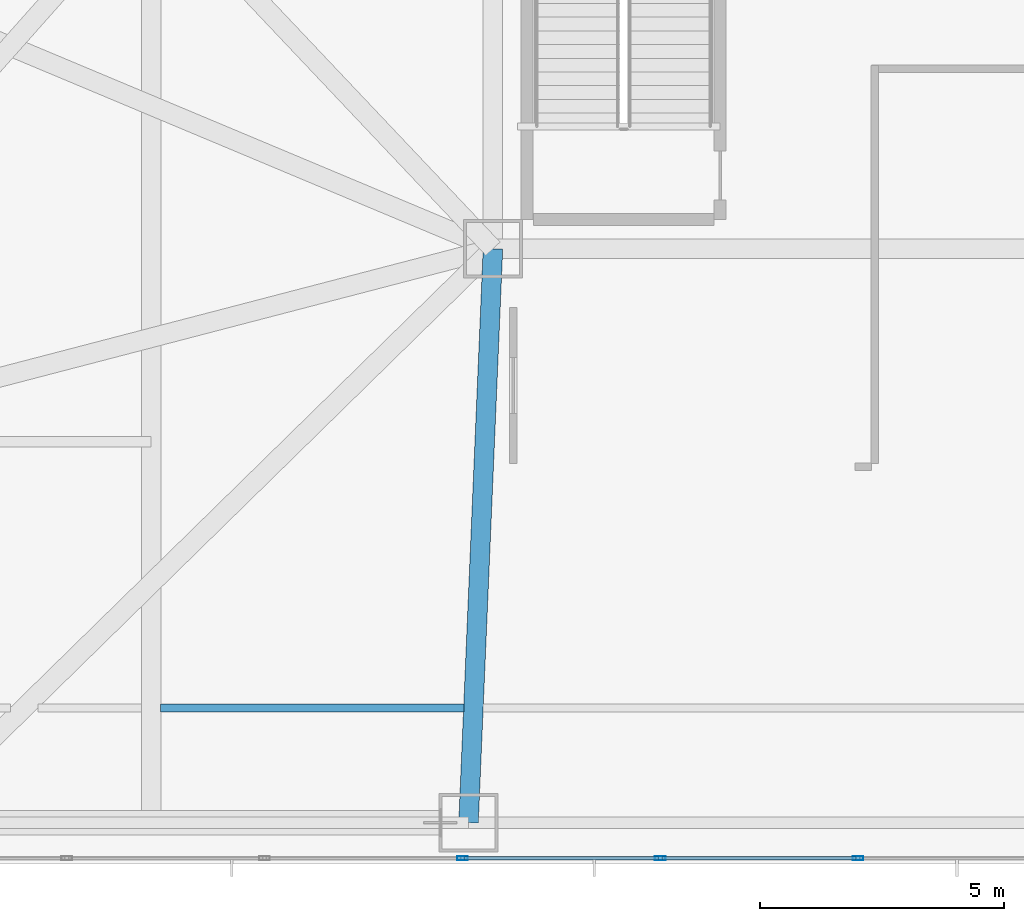
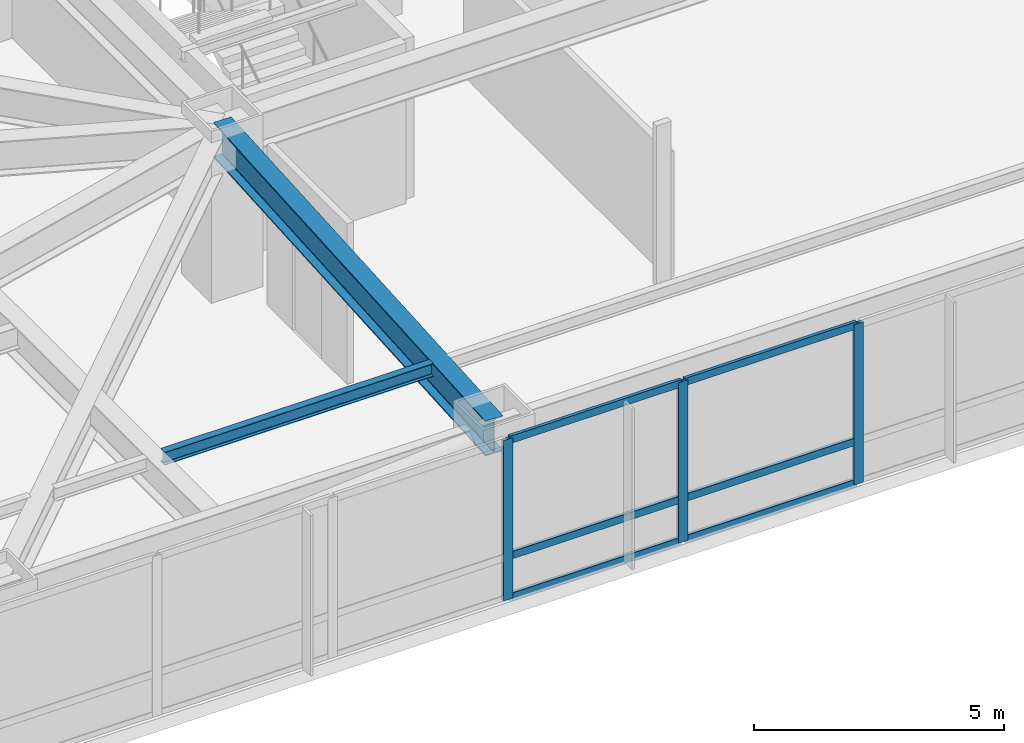
# One storey, part 4 of 32: 9 members, 2 beams, 1 element without a shape of its own.
"""IFC4 building model written with IfcOpenShell, lengths in metres."""

from ifc_helpers import new_model, si_unit, direction, frame, origin, origin_2d, place, context, subcontext, project, spatial, hollow_rectangle, i_section, extrude, material, material_profile, profile_set, type_object, element, aggregate, save


model = new_model("IFC4")

# Units and contexts
model_context = context("Model", 3, precision=1e-05, world=origin(), true_north=direction((0.0, 1.0)))
body_context = subcontext(model_context, "Body", "Model", "MODEL_VIEW")
ifc_project = project(units=[si_unit("LENGTHUNIT", "METRE"), si_unit("AREAUNIT", "SQUARE_METRE"), si_unit("VOLUMEUNIT", "CUBIC_METRE"), si_unit("PLANEANGLEUNIT", "RADIAN"), si_unit("MASSUNIT", "GRAM", prefix="KILO")], contexts=[model_context])

# Site, building, storey
site_placement = place(None, origin())
site = spatial("IfcSite", under=ifc_project, at=site_placement, CompositionType="ELEMENT")
building_placement = place(site_placement, origin())
building = spatial("IfcBuilding", under=site, at=building_placement, Name="Khamvora Tower", CompositionType="ELEMENT")
storey_placement = place(building_placement, frame((0.0, 0.0, 12.0)))
storey = spatial("IfcBuildingStorey", under=building, at=storey_placement, Name="L02", CompositionType="ELEMENT", Elevation=12.0)

# Beams
ifc_material_1 = material(Name="Steel S355", Category="steel")
ifc_material_profile_1 = material_profile(ifc_material_1, i_section(OverallWidth=0.166015625, OverallDepth=0.31298828125, WebThickness=0.007080078125, FlangeThickness=0.010986328125, FilletRadius=0.010009765625, at=origin_2d()), Name="W310x45")
ifc_profile_set_1 = profile_set([ifc_material_profile_1], Name="Steel S355")
beam_type_1 = type_object("IfcBeamType", Name="BM-JS-W310x45", PredefinedType="JOIST", material=ifc_profile_set_1)
beam_1_placement = place(storey_placement, frame((11.695068359375, 3.199951171875, 3.763916015625), z_axis=(1.0, 0.0, 0.0), x_axis=(0.0, 1.0, 0.0)))
element("IfcBeam", 1, at=beam_1_placement, inside=storey, type_object=beam_type_1, Name="L02 secondary floor joist 03", PredefinedType="JOIST", context=body_context, shape_type="SweptSolid", body=[
    extrude(i_section(OverallWidth=0.166015625, OverallDepth=0.31298828125, WebThickness=0.007080078125, FlangeThickness=0.010986328125, FilletRadius=0.010009765625, at=origin_2d()), origin(), (0.0, 0.0, 1.0), 6.2099609375),
])
ifc_material_profile_2 = material_profile(ifc_material_1, i_section(OverallWidth=0.39990234375, OverallDepth=0.85498046875, WebThickness=0.01806640625, FlangeThickness=0.029052734375, FilletRadius=0.01806640625, at=origin_2d()), Name="W840x299")
ifc_profile_set_2 = profile_set([ifc_material_profile_2], Name="Steel S355")
beam_type_2 = type_object("IfcBeamType", Name="BM-PG-W840x299", PredefinedType="BEAM", material=ifc_profile_set_2)
beam_2_placement = place(storey_placement, frame((18.5, 12.60009765625, 3.491943359375), z_axis=(-0.042514716625, -0.999095840683, 0.0), x_axis=(0.999095840683, -0.042514716625, 0.0)))
element("IfcBeam", 2, at=beam_2_placement, inside=storey, type_object=beam_type_2, Name="L02 primary floor girder P02", PredefinedType="BEAM", context=body_context, shape_type="SweptSolid", body=[
    extrude(i_section(OverallWidth=0.39990234375, OverallDepth=0.85498046875, WebThickness=0.01806640625, FlangeThickness=0.029052734375, FilletRadius=0.01806640625, at=origin_2d()), origin(), (0.0, 0.0, 1.0), 11.7607421875),
])

# Curtain wall, members
ifc_material_2 = material(Name="Anodised Aluminium 6063-T6", Category="aluminium")
curtain_wall_type = type_object("IfcCurtainWallType", Name="CW-SYS-01", PredefinedType="NOTDEFINED", material=ifc_material_2)
curtain_wall_placement = place(storey_placement, origin())
curtain_wall = element("IfcCurtainWall", 3, at=curtain_wall_placement, inside=storey, type_object=curtain_wall_type, Name="L02 stick curtain wall 14.1", PredefinedType="NOTDEFINED")
ifc_material_profile_3 = material_profile(ifc_material_2, hollow_rectangle(XDim=0.074951171875, YDim=0.219970703125, WallThickness=0.0048828125, at=origin_2d()), Name="MUL75x220x5")
ifc_profile_set_3 = profile_set([ifc_material_profile_3], Name="Anodised Aluminium 6063-T6")
member_type_1 = type_object("IfcMemberType", Name="CW-SYS-01-MUL", PredefinedType="MULLION", material=ifc_profile_set_3)
member_1_placement = place(storey_placement, frame((25.97509765625, 0.1201171875, 0.0), z_axis=(0.0, 0.0, 1.0), x_axis=(0.0, -1.0, 0.0)))
member_1 = element("IfcMember", 4, at=member_1_placement, type_object=member_type_1, Name="CW-01 mullion 7", PredefinedType="MULLION", context=body_context, shape_type="SweptSolid", body=[
    extrude(hollow_rectangle(XDim=0.074951171875, YDim=0.219970703125, WallThickness=0.0048828125, at=origin_2d()), origin(), (0.0, 0.0, 1.0), 3.919921875),
])
member_2_placement = place(storey_placement, frame((21.925048828125, 0.1201171875, 0.0), z_axis=(0.0, 0.0, 1.0), x_axis=(0.0, -1.0, 0.0)))
member_2 = element("IfcMember", 5, at=member_2_placement, type_object=member_type_1, Name="CW-01 mullion 8", PredefinedType="MULLION", context=body_context, shape_type="SweptSolid", body=[
    extrude(hollow_rectangle(XDim=0.074951171875, YDim=0.219970703125, WallThickness=0.0048828125, at=origin_2d()), origin(), (0.0, 0.0, 1.0), 3.919921875),
])
member_3_placement = place(storey_placement, frame((17.875, 0.1201171875, 0.0), z_axis=(0.0, 0.0, 1.0), x_axis=(0.0, -1.0, 0.0)))
member_3 = element("IfcMember", 6, at=member_3_placement, type_object=member_type_1, Name="CW-01 mullion 9", PredefinedType="MULLION", context=body_context, shape_type="SweptSolid", body=[
    extrude(hollow_rectangle(XDim=0.074951171875, YDim=0.219970703125, WallThickness=0.0048828125, at=origin_2d()), origin(), (0.0, 0.0, 1.0), 3.919921875),
])
ifc_material_profile_4 = material_profile(ifc_material_2, hollow_rectangle(XDim=0.074951171875, YDim=0.179931640625, WallThickness=0.0048828125, at=origin_2d()), Name="TRN75x180x5")
ifc_profile_set_4 = profile_set([ifc_material_profile_4], Name="Anodised Aluminium 6063-T6")
member_type_2 = type_object("IfcMemberType", Name="CW-SYS-01-TRN", PredefinedType="USERDEFINED", material=ifc_profile_set_4)
member_4_placement = place(storey_placement, frame((25.9375, 0.1201171875, 0.03759765625), z_axis=(-1.0, 0.0, 0.0), x_axis=(0.0, -1.0, 0.0)))
member_4 = element("IfcMember", 7, at=member_4_placement, type_object=member_type_2, Name="CW-01 transom 7.1", ObjectType="TRANSOM", PredefinedType="USERDEFINED", context=body_context, shape_type="SweptSolid", body=[
    extrude(hollow_rectangle(XDim=0.074951171875, YDim=0.179931640625, WallThickness=0.0048828125, at=origin_2d()), origin(), (0.0, 0.0, 1.0), 3.97509765625),
])
member_5_placement = place(storey_placement, frame((25.9375, 0.1201171875, 1.050048828125), z_axis=(-1.0, 0.0, 0.0), x_axis=(0.0, -1.0, 0.0)))
member_5 = element("IfcMember", 8, at=member_5_placement, type_object=member_type_2, Name="CW-01 transom 7.2", ObjectType="TRANSOM", PredefinedType="USERDEFINED", context=body_context, shape_type="SweptSolid", body=[
    extrude(hollow_rectangle(XDim=0.074951171875, YDim=0.179931640625, WallThickness=0.0048828125, at=origin_2d()), origin(), (0.0, 0.0, 1.0), 3.97509765625),
])
member_6_placement = place(storey_placement, frame((25.9375, 0.1201171875, 3.882568359375), z_axis=(-1.0, 0.0, 0.0), x_axis=(0.0, -1.0, 0.0)))
member_6 = element("IfcMember", 9, at=member_6_placement, type_object=member_type_2, Name="CW-01 transom 7.3", ObjectType="TRANSOM", PredefinedType="USERDEFINED", context=body_context, shape_type="SweptSolid", body=[
    extrude(hollow_rectangle(XDim=0.074951171875, YDim=0.179931640625, WallThickness=0.0048828125, at=origin_2d()), origin(), (0.0, 0.0, 1.0), 3.97509765625),
])
member_7_placement = place(storey_placement, frame((21.887451171875, 0.1201171875, 0.03759765625), z_axis=(-1.0, 0.0, 0.0), x_axis=(0.0, -1.0, 0.0)))
member_7 = element("IfcMember", 10, at=member_7_placement, type_object=member_type_2, Name="CW-01 transom 8.1", ObjectType="TRANSOM", PredefinedType="USERDEFINED", context=body_context, shape_type="SweptSolid", body=[
    extrude(hollow_rectangle(XDim=0.074951171875, YDim=0.179931640625, WallThickness=0.0048828125, at=origin_2d()), origin(), (0.0, 0.0, 1.0), 3.974853515625),
])
member_8_placement = place(storey_placement, frame((21.887451171875, 0.1201171875, 1.050048828125), z_axis=(-1.0, 0.0, 0.0), x_axis=(0.0, -1.0, 0.0)))
member_8 = element("IfcMember", 11, at=member_8_placement, type_object=member_type_2, Name="CW-01 transom 8.2", ObjectType="TRANSOM", PredefinedType="USERDEFINED", context=body_context, shape_type="SweptSolid", body=[
    extrude(hollow_rectangle(XDim=0.074951171875, YDim=0.179931640625, WallThickness=0.0048828125, at=origin_2d()), origin(), (0.0, 0.0, 1.0), 3.974853515625),
])
member_9_placement = place(storey_placement, frame((21.887451171875, 0.1201171875, 3.882568359375), z_axis=(-1.0, 0.0, 0.0), x_axis=(0.0, -1.0, 0.0)))
member_9 = element("IfcMember", 12, at=member_9_placement, type_object=member_type_2, Name="CW-01 transom 8.3", ObjectType="TRANSOM", PredefinedType="USERDEFINED", context=body_context, shape_type="SweptSolid", body=[
    extrude(hollow_rectangle(XDim=0.074951171875, YDim=0.179931640625, WallThickness=0.0048828125, at=origin_2d()), origin(), (0.0, 0.0, 1.0), 3.974853515625),
])
aggregate(curtain_wall, [member_1, member_2, member_3, member_4, member_5, member_6, member_7, member_8, member_9])

save(model, "model.ifc")
